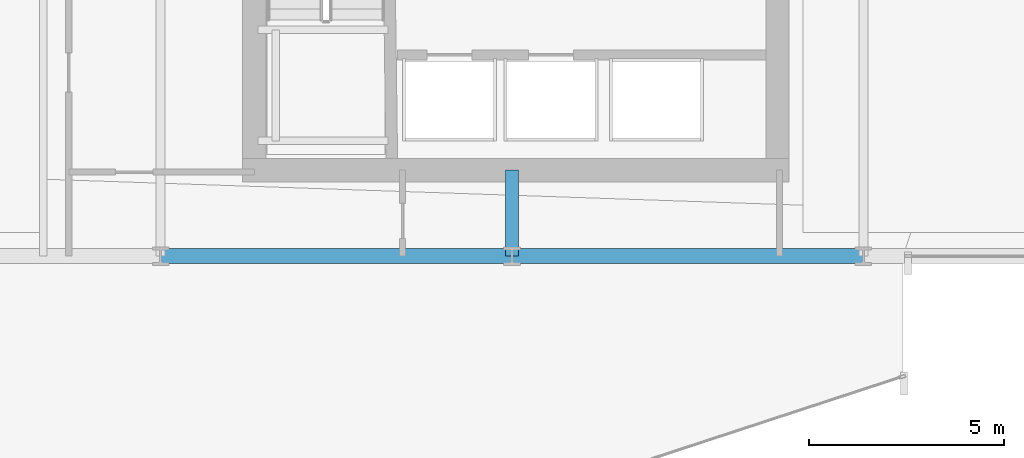
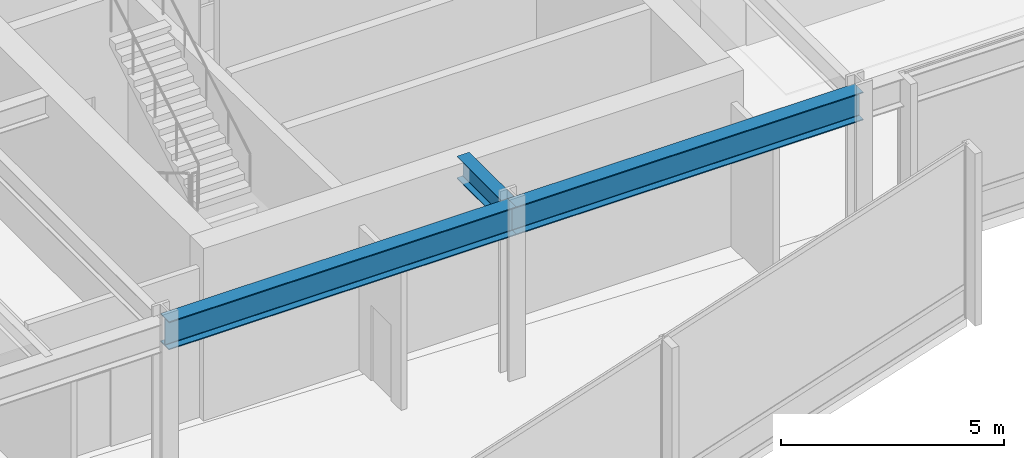
# One storey, part 12 of 39: 3 beams.
"""IFC4 building model written with IfcOpenShell, lengths in metres."""

import ifcopenshell
import ifcopenshell.guid

model = None  # the IFC model being written
_history = None  # IfcOwnerHistory: only IFC2X3 demands one
_inside = {}  # id of a spatial element -> (the spatial element, [elements in it])
_under = {}  # id of a project, library or spatial element -> (it, [spatial elements below it])
_declared = {}  # id of a project -> (the project, [libraries it declares])
_typed = {}  # id of a type object -> (the type object, [elements of that type])
_made_of = {}  # id of a material, layer set ... -> (it, [elements and type objects made of it])


def new_model(schema):
    """Start an empty IFC model of exactly this schema.

    Asked for "IFC4X3", IfcOpenShell would pick the latest addendum, in which some entities
    have other attributes; the version numbers below select the first issue.
    IFC2X3 requires an IfcOwnerHistory on every rooted entity: one is made here for all.
    """
    global model, _history
    if schema == "IFC4X3":
        model = ifcopenshell.file(schema_version=(4, 3, 0, 0))
    else:
        model = ifcopenshell.file(schema=schema)
    _inside.clear()
    _under.clear()
    _declared.clear()
    _typed.clear()
    _made_of.clear()
    _history = None
    if model.schema == "IFC2X3":
        org = make("IfcOrganization", Name="unknown")
        user = make(
            "IfcPersonAndOrganization",
            ThePerson=make("IfcPerson", FamilyName="unknown"),
            TheOrganization=org,
        )
        app = make(
            "IfcApplication",
            ApplicationDeveloper=org,
            Version="unknown",
            ApplicationFullName="unknown",
            ApplicationIdentifier="unknown",
        )
        _history = make(
            "IfcOwnerHistory",
            OwningUser=user,
            OwningApplication=app,
            ChangeAction="ADDED",
            CreationDate=0,
        )
    return model


def make(cls, **values):
    """One entity of the class cls with the attributes given. An attribute that is None is left unset."""
    return model.create_entity(
        cls, **{name: value for name, value in values.items() if value is not None}
    )


def rooted(cls, **values):
    """An entity with a GlobalId (a new one), such as an element, a storey or a relation."""
    return make(cls, GlobalId=ifcopenshell.guid.new(), OwnerHistory=_history, **values)


def si_unit(unit_type, name, prefix=None):
    """IfcSIUnit, for example si_unit("LENGTHUNIT", "METRE", prefix="MILLI")."""
    return make("IfcSIUnit", UnitType=unit_type, Prefix=prefix, Name=name)


def assignment(units):
    """IfcUnitAssignment: the units of a project."""
    return None if units is None else make("IfcUnitAssignment", Units=units)


def point(xyz):
    """IfcCartesianPoint."""
    return None if xyz is None else make("IfcCartesianPoint", Coordinates=xyz)


def direction(xyz):
    """IfcDirection."""
    return None if xyz is None else make("IfcDirection", DirectionRatios=xyz)


def frame(location, z_axis=None, x_axis=None):
    """IfcAxis2Placement3D, a coordinate frame: its origin and axes. An axis left out is left unset."""
    return make(
        "IfcAxis2Placement3D",
        Location=point(location),
        Axis=direction(z_axis),
        RefDirection=direction(x_axis),
    )


def frame_2d(location, x_axis=None):
    """IfcAxis2Placement2D, a coordinate frame in the plane: its origin and x axis."""
    return make(
        "IfcAxis2Placement2D", Location=point(location), RefDirection=direction(x_axis)
    )


def origin():
    """The frame at (0, 0, 0) with its axes left unset."""
    return frame((0.0, 0.0, 0.0))


def origin_2d():
    """The frame at (0, 0) in the plane with its x axis left unset."""
    return frame_2d((0.0, 0.0))


def place(relative_to, where):
    """IfcLocalPlacement: puts the frame where relative to a parent placement (None: the world)."""
    return make(
        "IfcLocalPlacement", PlacementRelTo=relative_to, RelativePlacement=where
    )


def context(
    kind, dimensions, precision=None, world=None, true_north=None, identifier=None
):
    """IfcGeometricRepresentationContext, for example the 3D "Model" context."""
    return make(
        "IfcGeometricRepresentationContext",
        ContextIdentifier=identifier,
        ContextType=kind,
        CoordinateSpaceDimension=dimensions,
        Precision=precision,
        WorldCoordinateSystem=world,
        TrueNorth=true_north,
    )


def subcontext(parent, identifier, kind, view, scale=None):
    """IfcGeometricRepresentationSubContext, for example "Body" below "Model"."""
    return make(
        "IfcGeometricRepresentationSubContext",
        ContextIdentifier=identifier,
        ContextType=kind,
        ParentContext=parent,
        TargetScale=scale,
        TargetView=view,
    )


def project(units=None, contexts=None):
    """IfcProject with its units and contexts."""
    return rooted(
        "IfcProject",
        Name="project",
        RepresentationContexts=contexts,
        UnitsInContext=assignment(units),
    )


def spatial(cls, under=None, at=None, **own):
    """A site, building, storey or space (cls), placed at a placement, below another one or the project."""
    s = rooted(cls, ObjectPlacement=at, **own)
    if under is not None:
        _under.setdefault(under.id(), (under, []))[1].append(s)
    return s


def profile(cls, at=None, kind="AREA", **sizes):
    """A parametric profile (cls). Its sizes go by their IFC names, for example OverallWidth=200.0."""
    return make(cls, ProfileType=kind, Position=at, **sizes)


def i_section(**sizes):
    """IfcIShapeProfileDef."""
    return profile("IfcIShapeProfileDef", **sizes)


def extrude(swept, where, along, depth):
    """IfcExtrudedAreaSolid: the profile swept, set in the frame where, extruded along a direction by depth."""
    return make(
        "IfcExtrudedAreaSolid",
        SweptArea=swept,
        Position=where,
        ExtrudedDirection=direction(along),
        Depth=depth,
    )


def shape(context_of_items, identifier, shape_type, items):
    """IfcShapeRepresentation: the items that make up one representation, for example the "Body"."""
    return make(
        "IfcShapeRepresentation",
        ContextOfItems=context_of_items,
        RepresentationIdentifier=identifier,
        RepresentationType=shape_type,
        Items=items,
    )


def material(Name=None, Category=None):
    """IfcMaterial."""
    return make("IfcMaterial", Name=Name, Category=Category)


def material_profile(
    of_material, cross_section, Name=None, Category=None, Priority=None
):
    """IfcMaterialProfile: a cross section and its material."""
    return make(
        "IfcMaterialProfile",
        Name=Name,
        Material=of_material,
        Profile=cross_section,
        Priority=Priority,
        Category=Category,
    )


def profile_set(profiles, Name=None, composite=None):
    """IfcMaterialProfileSet."""
    return make(
        "IfcMaterialProfileSet",
        Name=Name,
        MaterialProfiles=profiles,
        CompositeProfile=composite,
    )


def made_of(thing, what):
    """Note that an element or type object is made of a material, layer set ...; save() writes the relation."""
    if what is not None:
        _made_of.setdefault(what.id(), (what, []))[1].append(thing)
    return thing


def type_object(cls, material=None, **own):
    """A type object (cls), such as IfcWallType, which elements share."""
    return made_of(rooted(cls, **own), material)


def element(
    cls,
    number,
    at=None,
    inside=None,
    cuts=None,
    type_object=None,
    material=None,
    context=None,
    identifier="Body",
    shape_type=None,
    held_by="IfcProductDefinitionShape",
    body=None,
    shapes=None,
    **own,
):
    """One element of the class cls, such as IfcWall. Its Tag is "e" and its number.

    at: its placement. inside: the storey or other place that contains it. cuts: it is an
    opening in that element (IfcRelVoidsElement). A single representation is given by context,
    identifier, shape_type and body (its items); several are given by shapes. held_by: the class
    of the entity that holds the representations. save() writes the other relations.
    """
    e = rooted(cls, Tag="e%d" % number, ObjectPlacement=at, **own)
    if body is not None:
        shapes = [shape(context, identifier, shape_type, body)]
    if shapes is not None:
        e.Representation = make(held_by, Representations=shapes)
    if inside is not None:
        _inside.setdefault(inside.id(), (inside, []))[1].append(e)
    if cuts is not None:
        rooted(
            "IfcRelVoidsElement", RelatingBuildingElement=cuts, RelatedOpeningElement=e
        )
    if type_object is not None:
        _typed.setdefault(type_object.id(), (type_object, []))[1].append(e)
    return made_of(e, material)


def aggregate(whole, parts):
    """IfcRelAggregates: a whole, such as a stair, and the parts it consists of."""
    return rooted("IfcRelAggregates", RelatingObject=whole, RelatedObjects=parts)


def save(model, path):
    """Write the relations noted so far, then the file.

    IfcRelAggregates (storeys below a building ...), IfcRelContainedInSpatialStructure (elements
    in a storey), IfcRelDefinesByType, IfcRelAssociatesMaterial and IfcRelDeclares: one each for
    every whole, place, type object, material and project.
    """
    for whole, parts in _under.values():
        aggregate(whole, parts)
    for where, things in _inside.values():
        rooted(
            "IfcRelContainedInSpatialStructure",
            RelatedElements=things,
            RelatingStructure=where,
        )
    for kind, things in _typed.values():
        rooted("IfcRelDefinesByType", RelatedObjects=things, RelatingType=kind)
    for what, things in _made_of.values():
        rooted("IfcRelAssociatesMaterial", RelatedObjects=things, RelatingMaterial=what)
    for by, libraries in _declared.values():
        rooted("IfcRelDeclares", RelatingContext=by, RelatedDefinitions=libraries)
    model.write(path)


model = new_model("IFC4")

# Units and contexts
model_context = context("Model", 3, precision=1e-05, world=origin(), true_north=direction((0.0, 1.0)))
body_context = subcontext(model_context, "Body", "Model", "MODEL_VIEW")
ifc_project = project(units=[si_unit("LENGTHUNIT", "METRE"), si_unit("AREAUNIT", "SQUARE_METRE"), si_unit("VOLUMEUNIT", "CUBIC_METRE"), si_unit("PLANEANGLEUNIT", "RADIAN"), si_unit("MASSUNIT", "GRAM", prefix="KILO")], contexts=[model_context])

# Site, building, storey
site_placement = place(None, origin())
site = spatial("IfcSite", under=ifc_project, at=site_placement, CompositionType="ELEMENT")
building_placement = place(site_placement, origin())
building = spatial("IfcBuilding", under=site, at=building_placement, Name="Solvaryn Broadcast Tower", CompositionType="ELEMENT")
storey_placement = place(building_placement, frame((0.0, 0.0, 84.10009765625)))
storey = spatial("IfcBuildingStorey", under=building, at=storey_placement, Name="L20", CompositionType="ELEMENT", Elevation=84.10009765625)

# Beams
ifc_material_1 = material(Name="Steel ASTM A992 Grade 50", Category="steel")
ifc_material_profile_1 = material_profile(ifc_material_1, i_section(OverallWidth=0.323974609375, OverallDepth=0.611083984375, WebThickness=0.0126953125, FlangeThickness=0.01904296875, FilletRadius=0.014892578125, at=origin_2d()))
ifc_profile_set_1 = profile_set([ifc_material_profile_1], Name="Steel ASTM A992 Grade 50")
beam_type_1 = type_object("IfcBeamType", Name="BM-B1-W24X104", PredefinedType="BEAM", material=ifc_profile_set_1)
beam_placement = place(storey_placement, frame((36.0, 9.0, 4.414306640625), z_axis=(0.0, 1.0, 0.0), x_axis=(-1.0, 0.0, 0.0)))
element("IfcBeam", 1, at=beam_placement, inside=storey, type_object=beam_type_1, Name="L20 Core Tie Beam CTE1", PredefinedType="BEAM", context=body_context, shape_type="SweptSolid", body=[
    extrude(i_section(OverallWidth=0.323974609375, OverallDepth=0.611083984375, WebThickness=0.0126953125, FlangeThickness=0.01904296875, FilletRadius=0.014892578125, at=origin_2d()), origin(), (0.0, 0.0, 1.0), 2.199951171875),
])
ifc_material_2 = material(Name="Steel ASTM A992 Grade 50", Category="steel")
ifc_material_profile_2 = material_profile(ifc_material_2, i_section(OverallWidth=0.381103515625, OverallDepth=0.77294921875, WebThickness=0.0166015625, FlangeThickness=0.027099609375, FilletRadius=0.01806640625, at=origin_2d()))
ifc_profile_set_2 = profile_set([ifc_material_profile_2], Name="Steel ASTM A992 Grade 50")
beam_type_2 = type_object("IfcBeamType", Name="BM-SP1-W30X173", PredefinedType="USERDEFINED", material=ifc_profile_set_2)
for number, where, z_axis, x_axis, name in (
    (2, (27.0, 9.0, 4.33349609375), (1.0, 0.0, 0.0), (0.0, 1.0, 0.0), "L20 Spandrel Beam X (27-36 @ Y=9)"),
    (3, (36.0, 9.0, 4.33349609375), (1.0, 0.0, 0.0), (0.0, 1.0, 0.0), "L20 Spandrel Beam X (36-45 @ Y=9)"),
):
    element("IfcBeam", number, at=place(storey_placement, frame(where, z_axis=z_axis, x_axis=x_axis)), inside=storey, type_object=beam_type_2, Name=name, ObjectType="SPANDREL", PredefinedType="USERDEFINED", context=body_context, shape_type="SweptSolid", body=[
        extrude(i_section(OverallWidth=0.381103515625, OverallDepth=0.77294921875, WebThickness=0.0166015625, FlangeThickness=0.027099609375, FilletRadius=0.01806640625, at=origin_2d()), origin(), (0.0, 0.0, 1.0), 9.0),
    ])

save(model, "model.ifc")
